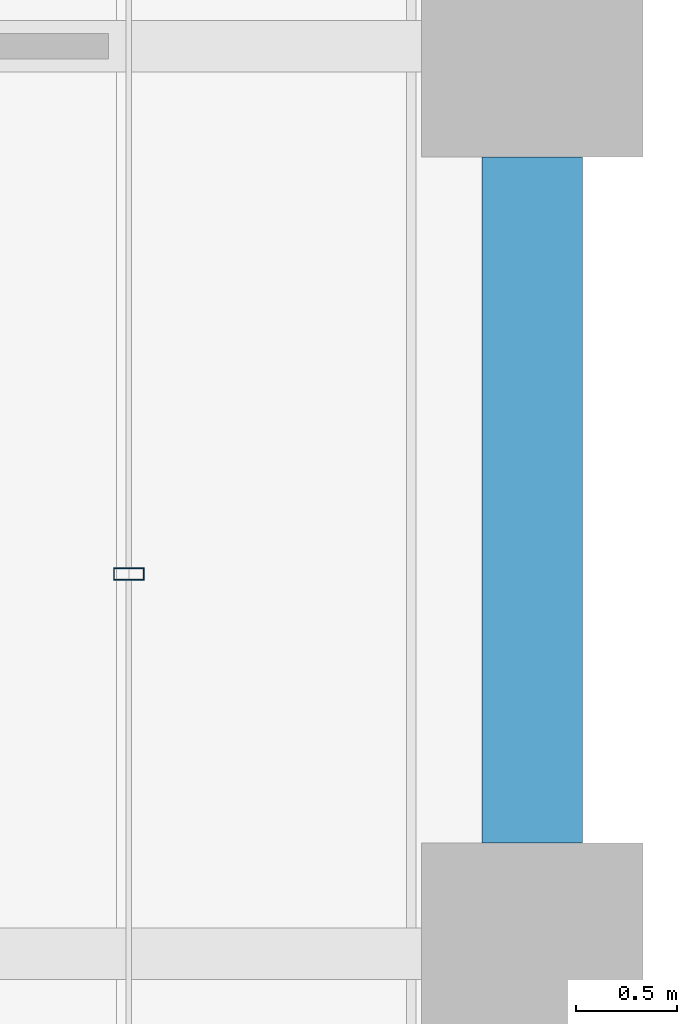
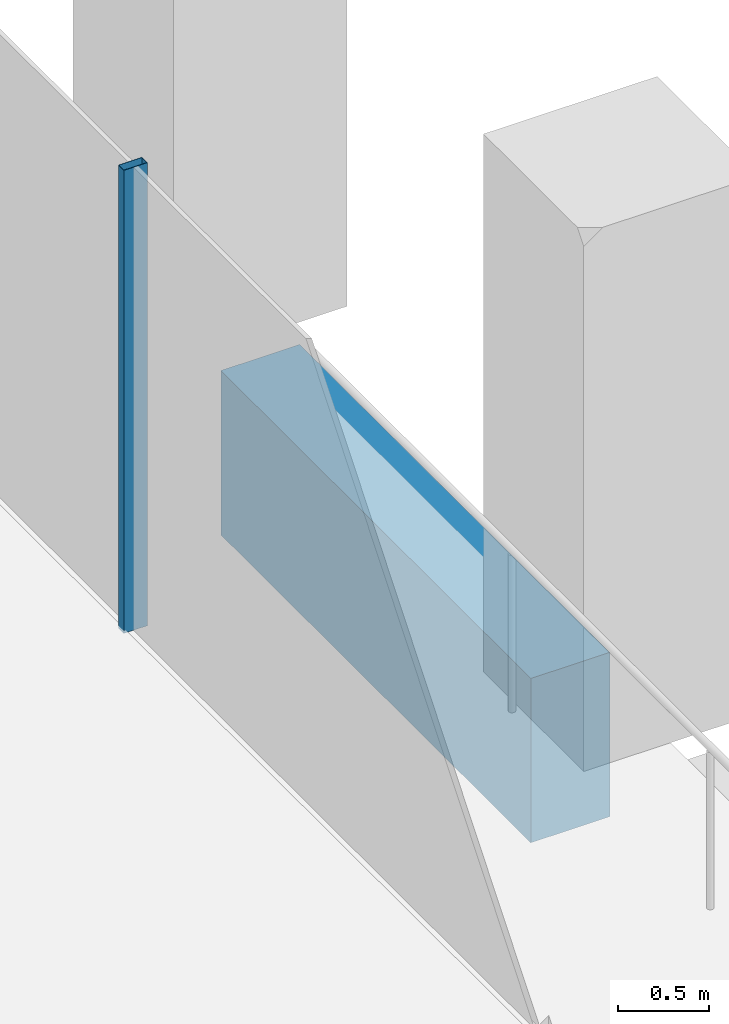
# One storey, part 20 of 56: 1 beam, 1 member, 1 element without a shape of its own.
"""IFC4 building model written with IfcOpenShell, lengths in metres."""

from ifc_helpers import new_model, si_unit, direction, frame, origin, origin_2d, place, context, subcontext, project, spatial, rectangle, hollow_rectangle, extrude, material, material_profile, profile_set, type_object, element, aggregate, save


model = new_model("IFC4")

# Units and contexts
model_context = context("Model", 3, precision=1e-05, world=origin(), true_north=direction((0.0, 1.0)))
body_context = subcontext(model_context, "Body", "Model", "MODEL_VIEW")
ifc_project = project(units=[si_unit("LENGTHUNIT", "METRE"), si_unit("AREAUNIT", "SQUARE_METRE"), si_unit("VOLUMEUNIT", "CUBIC_METRE"), si_unit("PLANEANGLEUNIT", "RADIAN"), si_unit("MASSUNIT", "GRAM", prefix="KILO")], contexts=[model_context])

# Site, building, storey
site_placement = place(None, origin())
site = spatial("IfcSite", under=ifc_project, at=site_placement, CompositionType="ELEMENT")
building_placement = place(site_placement, origin())
building = spatial("IfcBuilding", under=site, at=building_placement, Name="Altepetl Exchange Towers", CompositionType="ELEMENT")
storey_placement = place(building_placement, frame((0.0, 0.0, 51.0)))
storey = spatial("IfcBuildingStorey", under=building, at=storey_placement, Name="L11", CompositionType="ELEMENT", Elevation=51.0)

# Curtain wall, member
ifc_material_1 = material(Name="Aluminium 6063-T6 glazing", Category="aluminium")
curtain_wall_type = type_object("IfcCurtainWallType", Name="Loggia glazing system", PredefinedType="NOTDEFINED", material=ifc_material_1)
curtain_wall_placement = place(storey_placement, origin())
curtain_wall = element("IfcCurtainWall", 1, at=curtain_wall_placement, inside=storey, type_object=curtain_wall_type, Name="CW1 run", PredefinedType="NOTDEFINED")
ifc_material_2 = material(Name="Aluminium 6063-T6", Category="aluminium")
ifc_material_profile_1 = material_profile(ifc_material_2, hollow_rectangle(XDim=0.06005859375, YDim=0.14990234375, WallThickness=0.0029296875, at=origin_2d()), Name="Mullion 60x150 aluminium")
ifc_profile_set_1 = profile_set([ifc_material_profile_1], Name="Aluminium 6063-T6")
member_type = type_object("IfcMemberType", Name="Mullion 60x150 aluminium", PredefinedType="MULLION", material=ifc_profile_set_1)
member_placement = place(storey_placement, frame((70.0, 46.883056640625, 0.0), z_axis=(0.0, 0.0, 1.0), x_axis=(0.0, 1.0, 0.0)))
member = element("IfcMember", 2, at=member_placement, type_object=member_type, Name="MU1 mullion", PredefinedType="MULLION", context=body_context, shape_type="SweptSolid", body=[
    extrude(hollow_rectangle(XDim=0.06005859375, YDim=0.14990234375, WallThickness=0.0029296875, at=origin_2d()), origin(), (0.0, 0.0, 1.0), 3.10009765625),
])
aggregate(curtain_wall, [member])

# Beam
ifc_material_3 = material(Name="Concrete C50/60 precast with cantera amarilla facing", Category="concrete")
ifc_material_profile_2 = material_profile(ifc_material_3, rectangle(XDim=0.5, YDim=1.10009765625, at=origin_2d()), Name="500 x 1100")
ifc_profile_set_2 = profile_set([ifc_material_profile_2], Name="Concrete C50/60 precast with cantera amarilla facing")
beam_type = type_object("IfcBeamType", Name="Spandrel beam 500x1100 cantera amarilla", PredefinedType="SPANDREL", material=ifc_profile_set_2)
beam_placement = place(storey_placement, frame((72.0, 45.550048828125, -0.699951171875), z_axis=(0.0, 1.0, 0.0), x_axis=(-1.0, 0.0, 0.0)))
element("IfcBeam", 3, at=beam_placement, inside=storey, type_object=beam_type, Name="sp:A:L11:015", PredefinedType="SPANDREL", context=body_context, shape_type="SweptSolid", body=[
    extrude(rectangle(XDim=0.5, YDim=1.10009765625, at=origin_2d()), origin(), (0.0, 0.0, 1.0), 3.39990234375),
])

save(model, "model.ifc")
